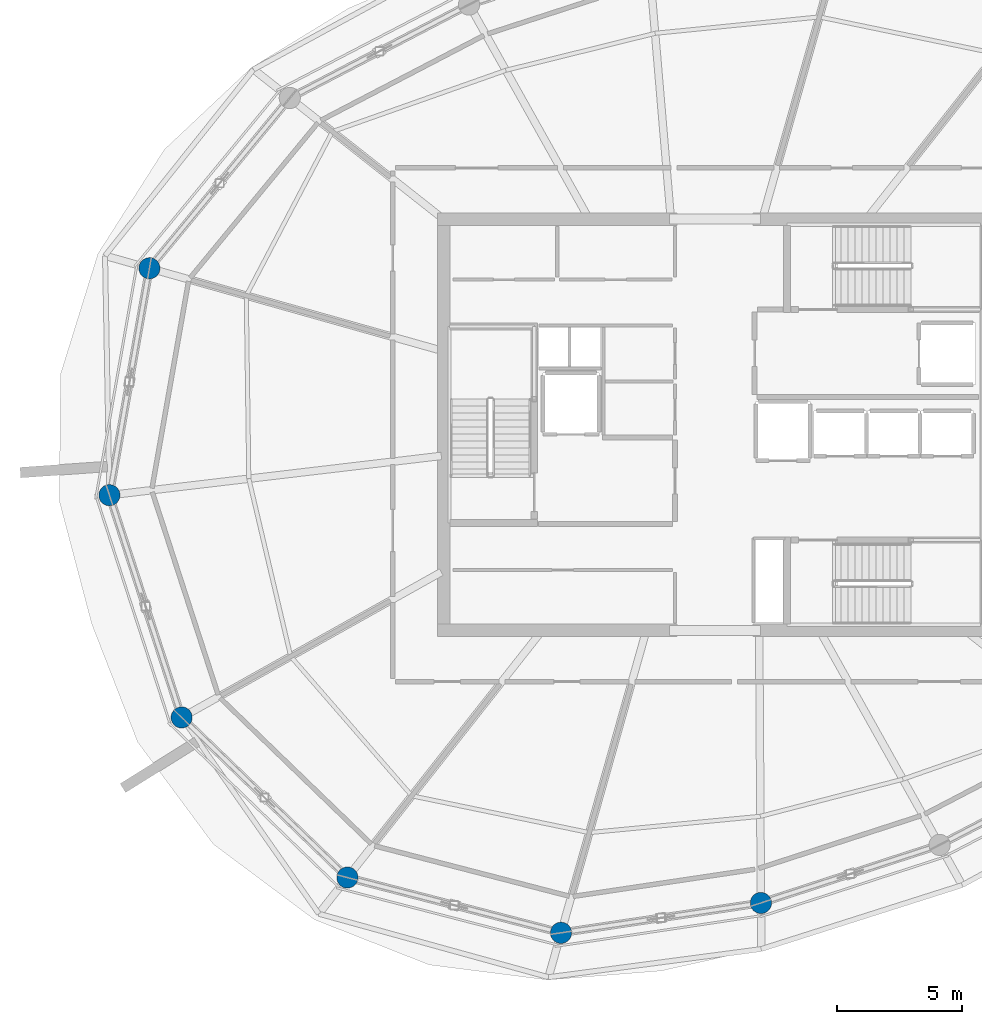
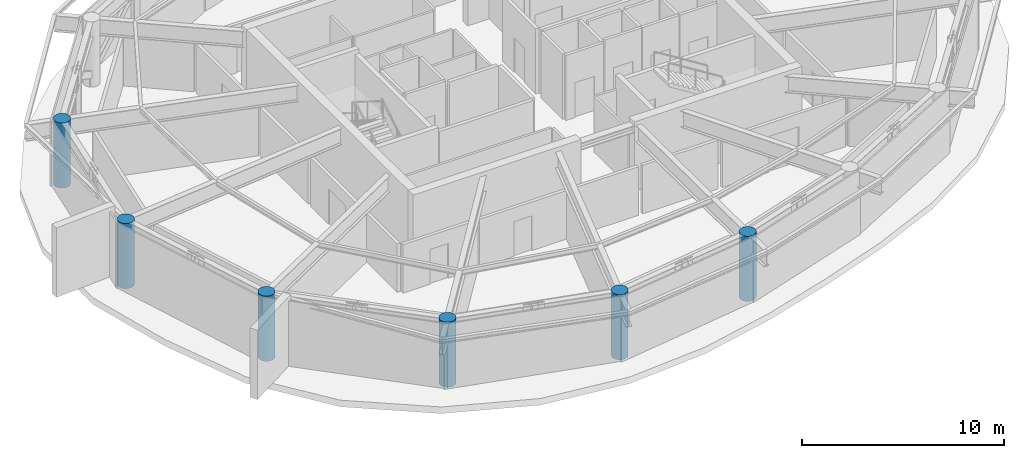
# One storey, part 1 of 14: 6 columns.
"""IFC4 building model written with IfcOpenShell, lengths in metres."""

import ifcopenshell
import ifcopenshell.guid

model = None  # the IFC model being written
_history = None  # IfcOwnerHistory: only IFC2X3 demands one
_inside = {}  # id of a spatial element -> (the spatial element, [elements in it])
_under = {}  # id of a project, library or spatial element -> (it, [spatial elements below it])
_declared = {}  # id of a project -> (the project, [libraries it declares])
_typed = {}  # id of a type object -> (the type object, [elements of that type])
_made_of = {}  # id of a material, layer set ... -> (it, [elements and type objects made of it])


def new_model(schema):
    """Start an empty IFC model of exactly this schema.

    Asked for "IFC4X3", IfcOpenShell would pick the latest addendum, in which some entities
    have other attributes; the version numbers below select the first issue.
    IFC2X3 requires an IfcOwnerHistory on every rooted entity: one is made here for all.
    """
    global model, _history
    if schema == "IFC4X3":
        model = ifcopenshell.file(schema_version=(4, 3, 0, 0))
    else:
        model = ifcopenshell.file(schema=schema)
    _inside.clear()
    _under.clear()
    _declared.clear()
    _typed.clear()
    _made_of.clear()
    _history = None
    if model.schema == "IFC2X3":
        org = make("IfcOrganization", Name="unknown")
        user = make(
            "IfcPersonAndOrganization",
            ThePerson=make("IfcPerson", FamilyName="unknown"),
            TheOrganization=org,
        )
        app = make(
            "IfcApplication",
            ApplicationDeveloper=org,
            Version="unknown",
            ApplicationFullName="unknown",
            ApplicationIdentifier="unknown",
        )
        _history = make(
            "IfcOwnerHistory",
            OwningUser=user,
            OwningApplication=app,
            ChangeAction="ADDED",
            CreationDate=0,
        )
    return model


def make(cls, **values):
    """One entity of the class cls with the attributes given. An attribute that is None is left unset."""
    return model.create_entity(
        cls, **{name: value for name, value in values.items() if value is not None}
    )


def rooted(cls, **values):
    """An entity with a GlobalId (a new one), such as an element, a storey or a relation."""
    return make(cls, GlobalId=ifcopenshell.guid.new(), OwnerHistory=_history, **values)


def si_unit(unit_type, name, prefix=None):
    """IfcSIUnit, for example si_unit("LENGTHUNIT", "METRE", prefix="MILLI")."""
    return make("IfcSIUnit", UnitType=unit_type, Prefix=prefix, Name=name)


def assignment(units):
    """IfcUnitAssignment: the units of a project."""
    return None if units is None else make("IfcUnitAssignment", Units=units)


def point(xyz):
    """IfcCartesianPoint."""
    return None if xyz is None else make("IfcCartesianPoint", Coordinates=xyz)


def direction(xyz):
    """IfcDirection."""
    return None if xyz is None else make("IfcDirection", DirectionRatios=xyz)


def frame(location, z_axis=None, x_axis=None):
    """IfcAxis2Placement3D, a coordinate frame: its origin and axes. An axis left out is left unset."""
    return make(
        "IfcAxis2Placement3D",
        Location=point(location),
        Axis=direction(z_axis),
        RefDirection=direction(x_axis),
    )


def frame_2d(location, x_axis=None):
    """IfcAxis2Placement2D, a coordinate frame in the plane: its origin and x axis."""
    return make(
        "IfcAxis2Placement2D", Location=point(location), RefDirection=direction(x_axis)
    )


def origin():
    """The frame at (0, 0, 0) with its axes left unset."""
    return frame((0.0, 0.0, 0.0))


def origin_2d():
    """The frame at (0, 0) in the plane with its x axis left unset."""
    return frame_2d((0.0, 0.0))


def place(relative_to, where):
    """IfcLocalPlacement: puts the frame where relative to a parent placement (None: the world)."""
    return make(
        "IfcLocalPlacement", PlacementRelTo=relative_to, RelativePlacement=where
    )


def context(
    kind, dimensions, precision=None, world=None, true_north=None, identifier=None
):
    """IfcGeometricRepresentationContext, for example the 3D "Model" context."""
    return make(
        "IfcGeometricRepresentationContext",
        ContextIdentifier=identifier,
        ContextType=kind,
        CoordinateSpaceDimension=dimensions,
        Precision=precision,
        WorldCoordinateSystem=world,
        TrueNorth=true_north,
    )


def subcontext(parent, identifier, kind, view, scale=None):
    """IfcGeometricRepresentationSubContext, for example "Body" below "Model"."""
    return make(
        "IfcGeometricRepresentationSubContext",
        ContextIdentifier=identifier,
        ContextType=kind,
        ParentContext=parent,
        TargetScale=scale,
        TargetView=view,
    )


def project(units=None, contexts=None):
    """IfcProject with its units and contexts."""
    return rooted(
        "IfcProject",
        Name="project",
        RepresentationContexts=contexts,
        UnitsInContext=assignment(units),
    )


def spatial(cls, under=None, at=None, **own):
    """A site, building, storey or space (cls), placed at a placement, below another one or the project."""
    s = rooted(cls, ObjectPlacement=at, **own)
    if under is not None:
        _under.setdefault(under.id(), (under, []))[1].append(s)
    return s


def profile(cls, at=None, kind="AREA", **sizes):
    """A parametric profile (cls). Its sizes go by their IFC names, for example OverallWidth=200.0."""
    return make(cls, ProfileType=kind, Position=at, **sizes)


def circle(**sizes):
    """IfcCircleProfileDef."""
    return profile("IfcCircleProfileDef", **sizes)


def extrude(swept, where, along, depth):
    """IfcExtrudedAreaSolid: the profile swept, set in the frame where, extruded along a direction by depth."""
    return make(
        "IfcExtrudedAreaSolid",
        SweptArea=swept,
        Position=where,
        ExtrudedDirection=direction(along),
        Depth=depth,
    )


def shape(context_of_items, identifier, shape_type, items):
    """IfcShapeRepresentation: the items that make up one representation, for example the "Body"."""
    return make(
        "IfcShapeRepresentation",
        ContextOfItems=context_of_items,
        RepresentationIdentifier=identifier,
        RepresentationType=shape_type,
        Items=items,
    )


def material(Name=None, Category=None):
    """IfcMaterial."""
    return make("IfcMaterial", Name=Name, Category=Category)


def material_profile(
    of_material, cross_section, Name=None, Category=None, Priority=None
):
    """IfcMaterialProfile: a cross section and its material."""
    return make(
        "IfcMaterialProfile",
        Name=Name,
        Material=of_material,
        Profile=cross_section,
        Priority=Priority,
        Category=Category,
    )


def profile_set(profiles, Name=None, composite=None):
    """IfcMaterialProfileSet."""
    return make(
        "IfcMaterialProfileSet",
        Name=Name,
        MaterialProfiles=profiles,
        CompositeProfile=composite,
    )


def made_of(thing, what):
    """Note that an element or type object is made of a material, layer set ...; save() writes the relation."""
    if what is not None:
        _made_of.setdefault(what.id(), (what, []))[1].append(thing)
    return thing


def type_object(cls, material=None, **own):
    """A type object (cls), such as IfcWallType, which elements share."""
    return made_of(rooted(cls, **own), material)


def element(
    cls,
    number,
    at=None,
    inside=None,
    cuts=None,
    type_object=None,
    material=None,
    context=None,
    identifier="Body",
    shape_type=None,
    held_by="IfcProductDefinitionShape",
    body=None,
    shapes=None,
    **own,
):
    """One element of the class cls, such as IfcWall. Its Tag is "e" and its number.

    at: its placement. inside: the storey or other place that contains it. cuts: it is an
    opening in that element (IfcRelVoidsElement). A single representation is given by context,
    identifier, shape_type and body (its items); several are given by shapes. held_by: the class
    of the entity that holds the representations. save() writes the other relations.
    """
    e = rooted(cls, Tag="e%d" % number, ObjectPlacement=at, **own)
    if body is not None:
        shapes = [shape(context, identifier, shape_type, body)]
    if shapes is not None:
        e.Representation = make(held_by, Representations=shapes)
    if inside is not None:
        _inside.setdefault(inside.id(), (inside, []))[1].append(e)
    if cuts is not None:
        rooted(
            "IfcRelVoidsElement", RelatingBuildingElement=cuts, RelatedOpeningElement=e
        )
    if type_object is not None:
        _typed.setdefault(type_object.id(), (type_object, []))[1].append(e)
    return made_of(e, material)


def aggregate(whole, parts):
    """IfcRelAggregates: a whole, such as a stair, and the parts it consists of."""
    return rooted("IfcRelAggregates", RelatingObject=whole, RelatedObjects=parts)


def save(model, path):
    """Write the relations noted so far, then the file.

    IfcRelAggregates (storeys below a building ...), IfcRelContainedInSpatialStructure (elements
    in a storey), IfcRelDefinesByType, IfcRelAssociatesMaterial and IfcRelDeclares: one each for
    every whole, place, type object, material and project.
    """
    for whole, parts in _under.values():
        aggregate(whole, parts)
    for where, things in _inside.values():
        rooted(
            "IfcRelContainedInSpatialStructure",
            RelatedElements=things,
            RelatingStructure=where,
        )
    for kind, things in _typed.values():
        rooted("IfcRelDefinesByType", RelatedObjects=things, RelatingType=kind)
    for what, things in _made_of.values():
        rooted("IfcRelAssociatesMaterial", RelatedObjects=things, RelatingMaterial=what)
    for by, libraries in _declared.values():
        rooted("IfcRelDeclares", RelatingContext=by, RelatedDefinitions=libraries)
    model.write(path)


model = new_model("IFC4")

# Units and contexts
model_context = context("Model", 3, precision=1e-05, world=origin(), true_north=direction((0.0, 1.0)))
body_context = subcontext(model_context, "Body", "Model", "MODEL_VIEW")
ifc_project = project(units=[si_unit("LENGTHUNIT", "METRE"), si_unit("AREAUNIT", "SQUARE_METRE"), si_unit("VOLUMEUNIT", "CUBIC_METRE"), si_unit("PLANEANGLEUNIT", "RADIAN"), si_unit("MASSUNIT", "GRAM", prefix="KILO")], contexts=[model_context])

# Site, building, storey
site_placement = place(None, origin())
site = spatial("IfcSite", under=ifc_project, at=site_placement, CompositionType="ELEMENT")
building_placement = place(site_placement, origin())
building = spatial("IfcBuilding", under=site, at=building_placement, Name="Kazma Halo Residences", CompositionType="ELEMENT")
storey_placement = place(building_placement, frame((0.0, 0.0, 343.10009765625)))
storey = spatial("IfcBuildingStorey", under=building, at=storey_placement, Name="L86", CompositionType="ELEMENT", Elevation=343.10009765625)

# Columns
ifc_material = material(Name="Concrete C60/75", Category="concrete")
ifc_material_profile = material_profile(ifc_material, circle(Radius=0.425048828125, at=origin_2d()), Name="CIRC850")
ifc_profile_set = profile_set([ifc_material_profile], Name="Concrete C60/75")
column_type = type_object("IfcColumnType", Name="COL-PERIM-850", PredefinedType="COLUMN", material=ifc_profile_set)
for number, where, z_axis, x_axis, name in (
    (1, (25.744384765625, 48.276611328125, 0.0), (0.0, 0.0, 1.0), (1.0, 0.0, 0.0), "L86 perimeter ring column P07"),
    (2, (24.1396484375, 39.17578125, 0.0), (0.0, 0.0, 1.0), (1.0, 0.0, 0.0), "L86 perimeter ring column P08"),
    (3, (27.03662109375, 30.260009765625, 0.0), (0.0, 0.0, 1.0), (1.0, 0.0, 0.0), "L86 perimeter ring column P09"),
    (4, (33.68408203125, 23.840576171875, 0.0), (0.0, 0.0, 1.0), (1.0, 0.0, 0.0), "L86 perimeter ring column P10"),
    (5, (42.25341796875, 21.62353515625, 0.0), (0.0, 0.0, 1.0), (1.0, 0.0, 0.0), "L86 perimeter ring column P11"),
    (6, (50.27001953125, 22.82080078125, 0.0), (0.0, 0.0, 1.0), (1.0, 0.0, 0.0), "L86 perimeter ring column P12"),
):
    element("IfcColumn", number, at=place(storey_placement, frame(where, z_axis=z_axis, x_axis=x_axis)), inside=storey, type_object=column_type, Name=name, PredefinedType="COLUMN", context=body_context, shape_type="SweptSolid", body=[
        extrude(circle(Radius=0.425048828125, at=origin_2d()), origin(), (0.0, 0.0, 1.0), 3.93994140625),
    ])

save(model, "model.ifc")
